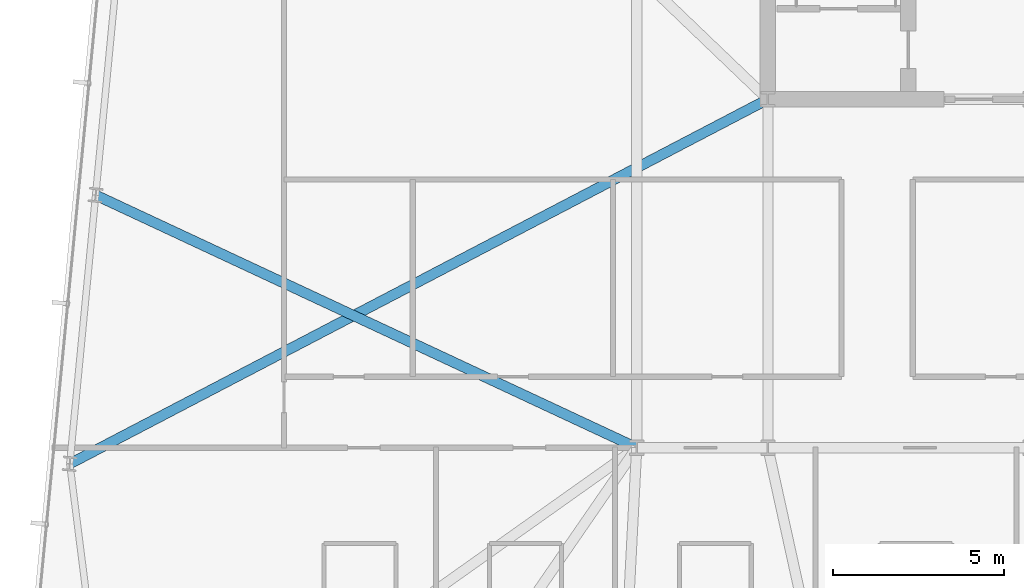
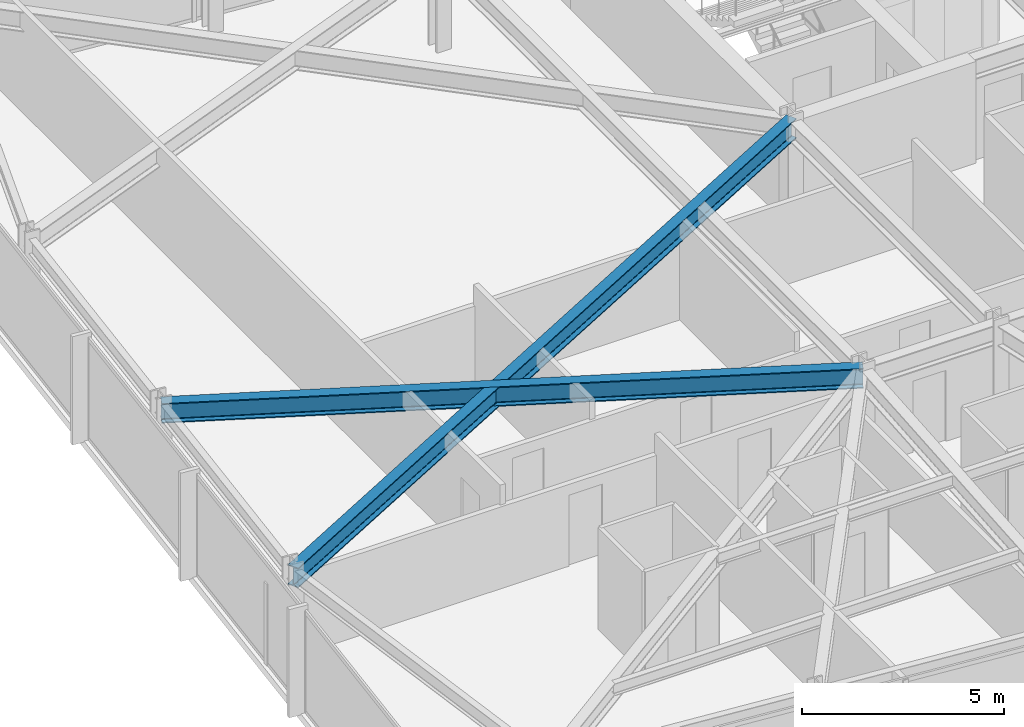
# One storey, part 9 of 38: 2 beams.
"""IFC4 building model written with IfcOpenShell, lengths in metres."""

from ifc_helpers import new_model, si_unit, direction, frame, origin, origin_2d, place, context, subcontext, project, spatial, i_section, extrude, material, material_profile, profile_set, type_object, element, save


model = new_model("IFC4")

# Units and contexts
model_context = context("Model", 3, precision=1e-05, world=origin(), true_north=direction((0.0, 1.0)))
body_context = subcontext(model_context, "Body", "Model", "MODEL_VIEW")
ifc_project = project(units=[si_unit("LENGTHUNIT", "METRE"), si_unit("AREAUNIT", "SQUARE_METRE"), si_unit("VOLUMEUNIT", "CUBIC_METRE"), si_unit("PLANEANGLEUNIT", "RADIAN"), si_unit("MASSUNIT", "GRAM", prefix="KILO")], contexts=[model_context])

# Site, building, storey
site_placement = place(None, origin())
site = spatial("IfcSite", under=ifc_project, at=site_placement, CompositionType="ELEMENT")
building_placement = place(site_placement, origin())
building = spatial("IfcBuilding", under=site, at=building_placement, Name="Yelkora Congress Tower", CompositionType="ELEMENT")
storey_placement = place(building_placement, frame((0.0, 0.0, 155.60009765625)))
storey = spatial("IfcBuildingStorey", under=building, at=storey_placement, Name="L42", CompositionType="ELEMENT", Elevation=155.60009765625)

# Beams
ifc_material = material(Name="Steel S355J2", Category="steel")
ifc_material_profile = material_profile(ifc_material, i_section(OverallWidth=0.300048828125, OverallDepth=0.60009765625, WebThickness=0.015380859375, FlangeThickness=0.030029296875, FilletRadius=0.027099609375, at=origin_2d()), Name="HEB 600")
ifc_profile_set = profile_set([ifc_material_profile], Name="Steel S355J2")
beam_type = type_object("IfcBeamType", Name="BM-GIRD-HEB600", PredefinedType="BEAM", material=ifc_profile_set)
beam_1_placement = place(storey_placement, frame((2.607421875, 24.730712890625, 2.77978515625), z_axis=(0.886430124978, 0.462862434781, 0.0), x_axis=(-0.462862434781, 0.886430124978, 0.0)))
element("IfcBeam", 1, at=beam_1_placement, inside=storey, type_object=beam_type, Name="L42 Primary Frame Girder W01", PredefinedType="BEAM", context=body_context, shape_type="SweptSolid", body=[
    extrude(i_section(OverallWidth=0.300048828125, OverallDepth=0.60009765625, WebThickness=0.015380859375, FlangeThickness=0.030029296875, FilletRadius=0.027099609375, at=origin_2d()), origin(), (0.0, 0.0, 1.0), 23.050537109375),
])
beam_2_placement = place(storey_placement, frame((3.364501953125, 32.594482421875, 2.77978515625), z_axis=(0.906081045456, -0.423104170466, 0.0), x_axis=(0.423104170466, 0.906081045456, 0.0)))
element("IfcBeam", 2, at=beam_2_placement, inside=storey, type_object=beam_type, Name="L42 Primary Frame Girder W02", PredefinedType="BEAM", context=body_context, shape_type="SweptSolid", body=[
    extrude(i_section(OverallWidth=0.300048828125, OverallDepth=0.60009765625, WebThickness=0.015380859375, FlangeThickness=0.030029296875, FilletRadius=0.027099609375, at=origin_2d()), origin(), (0.0, 0.0, 1.0), 17.476806640625),
])

save(model, "model.ifc")
